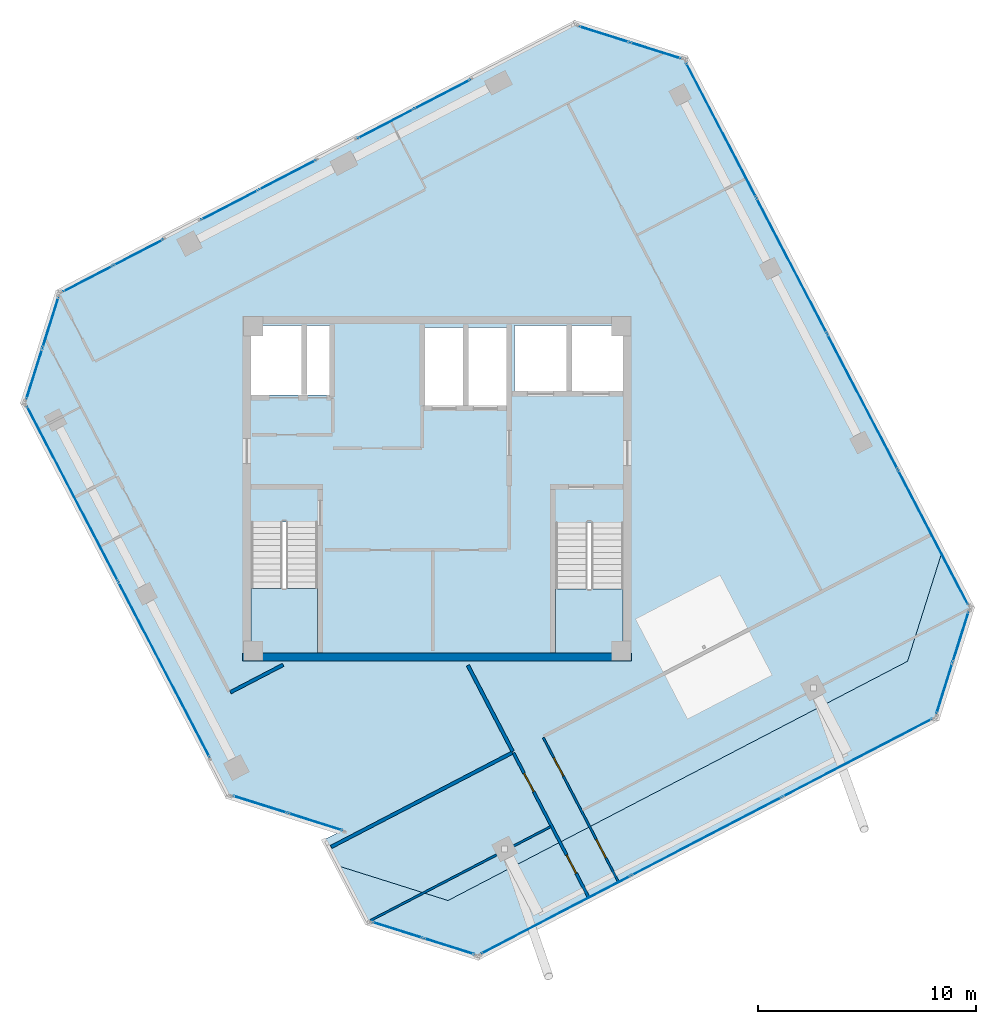
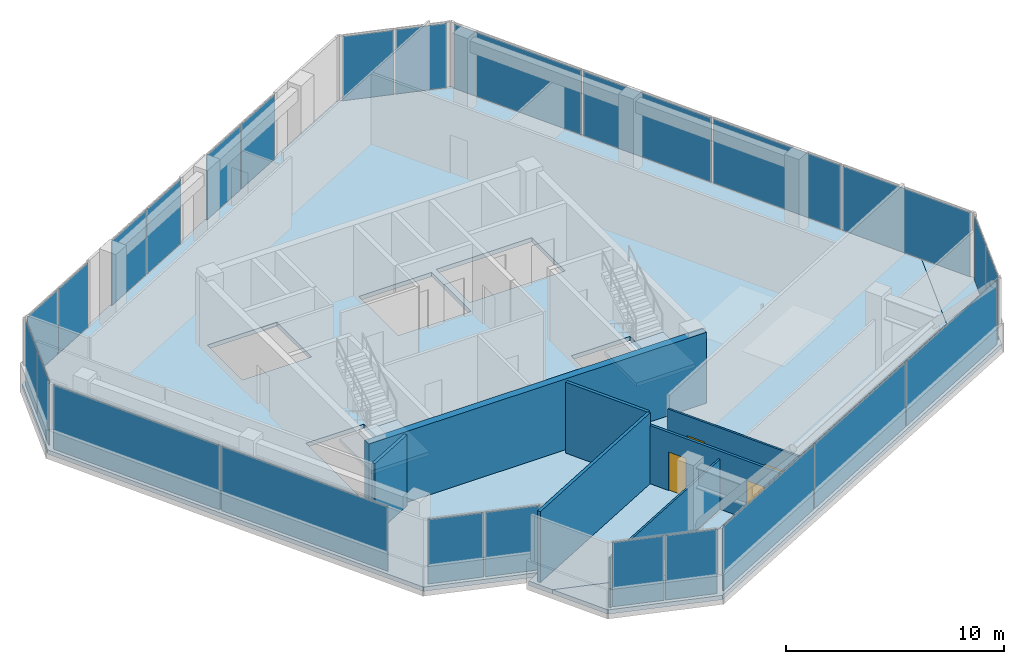
# One storey, part 11 of 17: 25 plates, 7 walls, 4 doors, 4 slabs, 4 openings, 13 elements without a shape of their own.
"""IFC4 building model written with IfcOpenShell, lengths in metres."""

from ifc_helpers import new_model, si_unit, direction, frame, frame_2d, origin, origin_2d, place, context, subcontext, project, spatial, polyline, rectangle, outline, extrude, source, transform, mapped, material, layer, layer_set, type_object, element, fill, aggregate, save


model = new_model("IFC4")

# Units and contexts
model_context = context("Model", 3, precision=1e-05, world=origin(), true_north=direction((0.0, 1.0)))
body_context = subcontext(model_context, "Body", "Model", "MODEL_VIEW")
ifc_project = project(units=[si_unit("LENGTHUNIT", "METRE"), si_unit("AREAUNIT", "SQUARE_METRE"), si_unit("VOLUMEUNIT", "CUBIC_METRE"), si_unit("PLANEANGLEUNIT", "RADIAN"), si_unit("MASSUNIT", "GRAM", prefix="KILO")], contexts=[model_context])

# Site, building, storey
site_placement = place(None, origin())
site = spatial("IfcSite", under=ifc_project, at=site_placement, CompositionType="ELEMENT")
building_placement = place(site_placement, origin())
building = spatial("IfcBuilding", under=site, at=building_placement, Name="Torre Montelarca", CompositionType="ELEMENT")
storey_placement = place(building_placement, frame((0.0, 0.0, 332.39990234375)))
storey = spatial("IfcBuildingStorey", under=building, at=storey_placement, Name="L75", CompositionType="ELEMENT", Elevation=332.39990234375)

# Slabs
ifc_material_1 = material(Name="Concrete C40/50", Category="concrete")
ifc_layer_1 = layer(ifc_material_1, 0.239990234375, Name="Concrete C40/50", Category="concrete")
ifc_layer_set_1 = layer_set([ifc_layer_1], Name="Concrete C40/50")
slab_type_1 = type_object("IfcSlabType", Name="SL-FLR-240", PredefinedType="FLOOR", material=ifc_layer_set_1)
slab_1_placement = place(storey_placement, frame((0.0, 0.0, -0.239990234375)))
element("IfcSlab", 1, at=slab_1_placement, inside=storey, type_object=slab_type_1, Name="L75 Structural Floor Slab", PredefinedType="FLOOR", context=body_context, shape_type="SweptSolid", body=[
    extrude(outline(polyline([(8.35791015625, 17.83056640625), (13.483154296875, 16.214599609375), (12.7734375, 15.84521484375), (13.373779296875, 14.692138671875), (18.4990234375, 13.076171875), (39.60986328125, 24.065673828125), (41.225830078125, 29.19091796875), (29.451416015625, 51.809814453125), (24.325927734375, 53.42578125), (0.55419921875, 41.05078125), (-1.06201171875, 35.925537109375), (8.35791015625, 17.83056640625)]), holes=[polyline([(26.550048828125, 24.449951171875), (23.43994140625, 24.449951171875), (23.43994140625, 30.429931640625), (26.550048828125, 30.429931640625), (26.550048828125, 24.449951171875)]), polyline([(12.5, 24.449951171875), (9.449951171875, 24.449951171875), (9.449951171875, 30.4599609375), (12.5, 30.4599609375), (12.5, 24.449951171875)]), polyline([(21.25, 39.39990234375), (21.25, 35.800048828125), (17.39990234375, 35.800048828125), (17.39990234375, 39.39990234375), (21.25, 39.39990234375)]), polyline([(13.1201171875, 36.300048828125), (9.449951171875, 36.300048828125), (9.449951171875, 39.5), (13.1201171875, 39.5), (13.1201171875, 36.300048828125)]), polyline([(26.60009765625, 36.449951171875), (21.550048828125, 36.449951171875), (21.550048828125, 39.5), (26.60009765625, 39.5), (26.60009765625, 36.449951171875)])]), origin(), (0.0, 0.0, 1.0), 0.239990234375),
])
slab_2_placement = place(storey_placement, frame((0.0, 0.0, -0.239990234375)))
element("IfcSlab", 2, at=slab_2_placement, inside=storey, type_object=slab_type_1, Name="L75 Sliding Tray Winter Garden Floor Slab E1", PredefinedType="FLOOR", context=body_context, shape_type="SweptSolid", body=[
    extrude(outline(polyline([(41.225830078125, 29.19091796875), (39.60986328125, 24.065673828125), (18.4990234375, 13.076171875), (13.373779296875, 14.692138671875), (14.759033203125, 12.031005859375), (19.88427734375, 10.4150390625), (40.9951171875, 21.40478515625), (42.611083984375, 26.530029296875), (41.225830078125, 29.19091796875)])), origin(), (0.0, 0.0, 1.0), 0.239990234375),
])

# Stair, slab
stair_type_1 = type_object("IfcStairType", Name="ST-CORE-ST1", PredefinedType="HALF_TURN_STAIR", material=ifc_material_1)
stair_1_placement = place(storey_placement, origin())
stair_1 = element("IfcStair", 3, at=stair_1_placement, inside=storey, type_object=stair_type_1, Name="L75 Protected Exit Stair ST1", PredefinedType="HALF_TURN_STAIR")
ifc_layer_2 = layer(ifc_material_1, 0.199951171875, Name="Concrete C40/50", Category="concrete")
ifc_layer_set_2 = layer_set([ifc_layer_2], Name="Concrete C40/50")
slab_type_2 = type_object("IfcSlabType", Name="SL-ST-LAND-ST1", PredefinedType="LANDING", material=ifc_layer_set_2)
slab_3_placement = place(storey_placement, frame((0.0, 0.0, 1.900146484375)))
slab_3 = element("IfcSlab", 4, at=slab_3_placement, type_object=slab_type_2, Name="ST1 landing 1", PredefinedType="LANDING", context=body_context, shape_type="SweptSolid", body=[
    extrude(outline(polyline([(9.449951171875, 27.419921875), (9.449951171875, 24.449951171875), (12.5, 24.449951171875), (12.5, 27.419921875), (9.449951171875, 27.419921875)])), origin(), (0.0, 0.0, 1.0), 0.199951171875),
])
aggregate(stair_1, [slab_3])

stair_type_2 = type_object("IfcStairType", Name="ST-CORE-ST2", PredefinedType="HALF_TURN_STAIR", material=ifc_material_1)
stair_2_placement = place(storey_placement, origin())
stair_2 = element("IfcStair", 5, at=stair_2_placement, inside=storey, type_object=stair_type_2, Name="L75 Protected Exit Stair ST2", PredefinedType="HALF_TURN_STAIR")
ifc_layer_3 = layer(ifc_material_1, 0.199951171875, Name="Concrete C40/50", Category="concrete")
ifc_layer_set_3 = layer_set([ifc_layer_3], Name="Concrete C40/50")
slab_type_3 = type_object("IfcSlabType", Name="SL-ST-LAND-ST2", PredefinedType="LANDING", material=ifc_layer_set_3)
slab_4_placement = place(storey_placement, frame((0.0, 0.0, 1.900146484375)))
slab_4 = element("IfcSlab", 6, at=slab_4_placement, type_object=slab_type_3, Name="ST2 landing 1", PredefinedType="LANDING", context=body_context, shape_type="SweptSolid", body=[
    extrude(outline(polyline([(23.43994140625, 27.389892578125), (23.43994140625, 24.449951171875), (26.550048828125, 24.449951171875), (26.550048828125, 27.389892578125), (23.43994140625, 27.389892578125)])), origin(), (0.0, 0.0, 1.0), 0.199951171875),
])
aggregate(stair_2, [slab_4])

# Curtain wall, plates
ifc_material_2 = material(Name="Insulated low-E laminated glass", Category="glass")
curtain_wall_type = type_object("IfcCurtainWallType", Name="CW-SYS-Z4", PredefinedType="USERDEFINED", material=ifc_material_2)
curtain_wall_1_placement = place(storey_placement, origin())
curtain_wall_1 = element("IfcCurtainWall", 7, at=curtain_wall_1_placement, inside=storey, type_object=curtain_wall_type, Name="L75 Curtain Wall Run CW-T3-L75-E02-B1", ObjectType="UNITISED GLAZING", PredefinedType="USERDEFINED")
ifc_layer_4 = layer(ifc_material_2, 0.035888671875, Name="Insulated low-E laminated glass", Category="glass")
ifc_layer_set_4 = layer_set([ifc_layer_4], Name="Insulated low-E laminated glass")
plate_type = type_object("IfcPlateType", Name="CWP-GLZ-36", PredefinedType="CURTAIN_PANEL", material=ifc_layer_set_4)
shared_shape_1 = source(origin(), body_context, "Body", "SweptSolid", [
    extrude(rectangle(XDim=2.592529296875, YDim=0.035888671875, at=origin_2d()), origin(), (0.0, 0.0, 1.0), 3.590087890625),
])
plate_1_placement = place(storey_placement, frame((9.86279296875, 17.492431640625, 0.06494140625), z_axis=(0.0, 0.0, 1.0), x_axis=(0.953719450714, -0.300697870509, 0.0)))
plate_1 = element("IfcPlate", 8, at=plate_1_placement, type_object=plate_type, Name="CW panel 1.1", PredefinedType="CURTAIN_PANEL", context=body_context, shape_type="MappedRepresentation", body=[
    mapped(shared_shape_1, transform((0.0, 0.0, 0.0), scale=1.0)),
])
plate_2_placement = place(storey_placement, frame((12.406982421875, 16.690185546875, 0.06494140625), z_axis=(0.0, 0.0, 1.0), x_axis=(0.953719450714, -0.300697870509, 0.0)))
plate_2 = element("IfcPlate", 9, at=plate_2_placement, type_object=plate_type, Name="CW panel 2.1", PredefinedType="CURTAIN_PANEL", context=body_context, shape_type="MappedRepresentation", body=[
    mapped(shared_shape_1, transform((0.0, 0.0, 0.0), scale=1.0)),
])
aggregate(curtain_wall_1, [plate_1, plate_2])

curtain_wall_2_placement = place(storey_placement, origin())
curtain_wall_2 = element("IfcCurtainWall", 10, at=curtain_wall_2_placement, inside=storey, type_object=curtain_wall_type, Name="L75 Curtain Wall Run CW-T3-L75-E05-B1", ObjectType="UNITISED GLAZING", PredefinedType="USERDEFINED")
shared_shape_2 = source(origin(), body_context, "Body", "SweptSolid", [
    extrude(rectangle(XDim=2.40869140625, YDim=0.035888671875, at=origin_2d()), origin(), (0.0, 0.0, 1.0), 3.590087890625),
])
plate_3_placement = place(storey_placement, frame((16.17626953125, 11.720458984375, 0.06494140625), z_axis=(0.0, 0.0, 1.0), x_axis=(0.953721038655, -0.300692834013, 0.0)))
plate_3 = element("IfcPlate", 11, at=plate_3_placement, type_object=plate_type, Name="CW panel 1.1", PredefinedType="CURTAIN_PANEL", context=body_context, shape_type="MappedRepresentation", body=[
    mapped(shared_shape_2, transform((0.0, 0.0, 0.0), scale=1.0)),
])
plate_4_placement = place(storey_placement, frame((18.545166015625, 10.9736328125, 0.06494140625), z_axis=(0.0, 0.0, 1.0), x_axis=(0.953721038655, -0.300692834013, 0.0)))
plate_4 = element("IfcPlate", 12, at=plate_4_placement, type_object=plate_type, Name="CW panel 2.1", PredefinedType="CURTAIN_PANEL", context=body_context, shape_type="MappedRepresentation", body=[
    mapped(shared_shape_2, transform((0.0, 0.0, 0.0), scale=1.0)),
])
aggregate(curtain_wall_2, [plate_3, plate_4])

curtain_wall_3_placement = place(storey_placement, origin())
curtain_wall_3 = element("IfcCurtainWall", 13, at=curtain_wall_3_placement, inside=storey, type_object=curtain_wall_type, Name="L75 Curtain Wall Run CW-T3-L75-E07-B1", ObjectType="UNITISED GLAZING", PredefinedType="USERDEFINED")
plate_5_placement = place(storey_placement, frame((41.3056640625, 22.822021484375, 0.06494140625), z_axis=(0.0, 0.0, 1.0), x_axis=(0.300692834013, 0.953721038655, 0.0)))
plate_5 = element("IfcPlate", 14, at=plate_5_placement, type_object=plate_type, Name="CW panel 1.1", PredefinedType="CURTAIN_PANEL", context=body_context, shape_type="MappedRepresentation", body=[
    mapped(shared_shape_2, transform((0.0, 0.0, 0.0), scale=1.0)),
])
plate_6_placement = place(storey_placement, frame((42.052490234375, 25.190673828125, 0.06494140625), z_axis=(0.0, 0.0, 1.0), x_axis=(0.300692834013, 0.953721038655, 0.0)))
plate_6 = element("IfcPlate", 15, at=plate_6_placement, type_object=plate_type, Name="CW panel 2.1", PredefinedType="CURTAIN_PANEL", context=body_context, shape_type="MappedRepresentation", body=[
    mapped(shared_shape_2, transform((0.0, 0.0, 0.0), scale=1.0)),
])
aggregate(curtain_wall_3, [plate_5, plate_6])

curtain_wall_4_placement = place(storey_placement, origin())
curtain_wall_4 = element("IfcCurtainWall", 16, at=curtain_wall_4_placement, inside=storey, type_object=curtain_wall_type, Name="L75 Curtain Wall Run CW-T3-L75-E09-B1", ObjectType="UNITISED GLAZING", PredefinedType="USERDEFINED")
plate_7_placement = place(storey_placement, frame((28.033935546875, 52.120361328125, 0.06494140625), z_axis=(0.0, 0.0, 1.0), x_axis=(-0.953721038655, 0.300692834013, 0.0)))
plate_7 = element("IfcPlate", 17, at=plate_7_placement, type_object=plate_type, Name="CW panel 1.1", PredefinedType="CURTAIN_PANEL", context=body_context, shape_type="MappedRepresentation", body=[
    mapped(shared_shape_2, transform((0.0, 0.0, 0.0), scale=1.0)),
])
plate_8_placement = place(storey_placement, frame((25.665283203125, 52.8671875, 0.06494140625), z_axis=(0.0, 0.0, 1.0), x_axis=(-0.953721038655, 0.300692834013, 0.0)))
plate_8 = element("IfcPlate", 18, at=plate_8_placement, type_object=plate_type, Name="CW panel 2.1", PredefinedType="CURTAIN_PANEL", context=body_context, shape_type="MappedRepresentation", body=[
    mapped(shared_shape_2, transform((0.0, 0.0, 0.0), scale=1.0)),
])
aggregate(curtain_wall_4, [plate_7, plate_8])

curtain_wall_5_placement = place(storey_placement, origin())
curtain_wall_5 = element("IfcCurtainWall", 19, at=curtain_wall_5_placement, inside=storey, type_object=curtain_wall_type, Name="L75 Curtain Wall Run CW-T3-L75-E11-B1", ObjectType="UNITISED GLAZING", PredefinedType="USERDEFINED")
plate_9_placement = place(storey_placement, frame((0.243408203125, 39.633544921875, 0.06494140625), z_axis=(0.0, 0.0, 1.0), x_axis=(-0.300692834013, -0.953721038655, 0.0)))
plate_9 = element("IfcPlate", 20, at=plate_9_placement, type_object=plate_type, Name="CW panel 1.1", PredefinedType="CURTAIN_PANEL", context=body_context, shape_type="MappedRepresentation", body=[
    mapped(shared_shape_2, transform((0.0, 0.0, 0.0), scale=1.0)),
])
plate_10_placement = place(storey_placement, frame((-0.50341796875, 37.264892578125, 0.06494140625), z_axis=(0.0, 0.0, 1.0), x_axis=(-0.300692834013, -0.953721038655, 0.0)))
plate_10 = element("IfcPlate", 21, at=plate_10_placement, type_object=plate_type, Name="CW panel 2.1", PredefinedType="CURTAIN_PANEL", context=body_context, shape_type="MappedRepresentation", body=[
    mapped(shared_shape_2, transform((0.0, 0.0, 0.0), scale=1.0)),
])
aggregate(curtain_wall_5, [plate_9, plate_10])

curtain_wall_6_placement = place(storey_placement, origin())
curtain_wall_6 = element("IfcCurtainWall", 22, at=curtain_wall_6_placement, inside=storey, type_object=curtain_wall_type, Name="L75 Curtain Wall Run CW-T3-L75-E01-B1", ObjectType="UNITISED GLAZING", PredefinedType="USERDEFINED")
shared_shape_3 = source(origin(), body_context, "Body", "SweptSolid", [
    extrude(rectangle(XDim=9.03955078125, YDim=0.035888671875, at=origin_2d()), origin(), (0.0, 0.0, 1.0), 3.590087890625),
])
plate_11_placement = place(storey_placement, frame((1.251708984375, 31.762939453125, 0.06494140625), z_axis=(0.0, 0.0, 1.0), x_axis=(0.461747468442, -0.887011429119, 0.0)))
plate_11 = element("IfcPlate", 23, at=plate_11_placement, type_object=plate_type, Name="CW panel 1.1", PredefinedType="CURTAIN_PANEL", context=body_context, shape_type="MappedRepresentation", body=[
    mapped(shared_shape_3, transform((0.0, 0.0, 0.0), scale=1.0)),
])
plate_12_placement = place(storey_placement, frame((5.460205078125, 23.67822265625, 0.06494140625), z_axis=(0.0, 0.0, 1.0), x_axis=(0.461747468442, -0.887011429119, 0.0)))
plate_12 = element("IfcPlate", 24, at=plate_12_placement, type_object=plate_type, Name="CW panel 2.1", PredefinedType="CURTAIN_PANEL", context=body_context, shape_type="MappedRepresentation", body=[
    mapped(shared_shape_3, transform((0.0, 0.0, 0.0), scale=1.0)),
])
aggregate(curtain_wall_6, [plate_11, plate_12])

curtain_wall_7_placement = place(storey_placement, origin())
curtain_wall_7 = element("IfcCurtainWall", 25, at=curtain_wall_7_placement, inside=storey, type_object=curtain_wall_type, Name="L75 Curtain Wall Run CW-T3-L75-E10-B1", ObjectType="UNITISED GLAZING", PredefinedType="USERDEFINED")
shared_shape_4 = source(origin(), body_context, "Body", "SweptSolid", [
    extrude(rectangle(XDim=2.857421875, YDim=0.035888671875, at=origin_2d()), origin(), (0.0, 0.0, 1.0), 3.590087890625),
])
plate_13_placement = place(storey_placement, frame((18.235595703125, 50.10888671875, 0.06494140625), z_axis=(0.0, 0.0, 1.0), x_axis=(-0.88700832853, -0.461753424587, 0.0)))
plate_13 = element("IfcPlate", 26, at=plate_13_placement, type_object=plate_type, Name="CW panel 1.1", PredefinedType="CURTAIN_PANEL", context=body_context, shape_type="MappedRepresentation", body=[
    mapped(shared_shape_4, transform((0.0, 0.0, 0.0), scale=1.0)),
])
plate_14_placement = place(storey_placement, frame((15.634521484375, 48.754638671875, 0.06494140625), z_axis=(0.0, 0.0, 1.0), x_axis=(-0.88700832853, -0.461753424587, 0.0)))
plate_14 = element("IfcPlate", 27, at=plate_14_placement, type_object=plate_type, Name="CW panel 2.1", PredefinedType="CURTAIN_PANEL", context=body_context, shape_type="MappedRepresentation", body=[
    mapped(shared_shape_4, transform((0.0, 0.0, 0.0), scale=1.0)),
])
aggregate(curtain_wall_7, [plate_13, plate_14])

curtain_wall_8_placement = place(storey_placement, origin())
curtain_wall_8 = element("IfcCurtainWall", 28, at=curtain_wall_8_placement, inside=storey, type_object=curtain_wall_type, Name="L75 Curtain Wall Run CW-T3-L75-E10-B2", ObjectType="UNITISED GLAZING", PredefinedType="USERDEFINED")
shared_shape_5 = source(origin(), body_context, "Body", "SweptSolid", [
    extrude(rectangle(XDim=2.907470703125, YDim=0.035888671875, at=origin_2d()), origin(), (0.0, 0.0, 1.0), 3.590087890625),
])
plate_15_placement = place(storey_placement, frame((11.117431640625, 46.4033203125, 0.06494140625), z_axis=(0.0, 0.0, 1.0), x_axis=(-0.887006627059, -0.461756693025, 0.0)))
plate_15 = element("IfcPlate", 29, at=plate_15_placement, type_object=plate_type, Name="CW panel 1.1", PredefinedType="CURTAIN_PANEL", context=body_context, shape_type="MappedRepresentation", body=[
    mapped(shared_shape_5, transform((0.0, 0.0, 0.0), scale=1.0)),
])
plate_16_placement = place(storey_placement, frame((8.471923828125, 45.026123046875, 0.06494140625), z_axis=(0.0, 0.0, 1.0), x_axis=(-0.887006627059, -0.461756693025, 0.0)))
plate_16 = element("IfcPlate", 30, at=plate_16_placement, type_object=plate_type, Name="CW panel 2.1", PredefinedType="CURTAIN_PANEL", context=body_context, shape_type="MappedRepresentation", body=[
    mapped(shared_shape_5, transform((0.0, 0.0, 0.0), scale=1.0)),
])
aggregate(curtain_wall_8, [plate_15, plate_16])

curtain_wall_9_placement = place(storey_placement, origin())
curtain_wall_9 = element("IfcCurtainWall", 31, at=curtain_wall_9_placement, inside=storey, type_object=curtain_wall_type, Name="L75 Curtain Wall Run CW-T3-L75-E10-B3", ObjectType="UNITISED GLAZING", PredefinedType="USERDEFINED")
shared_shape_6 = source(origin(), body_context, "Body", "SweptSolid", [
    extrude(rectangle(XDim=2.53955078125, YDim=0.035888671875, at=origin_2d()), origin(), (0.0, 0.0, 1.0), 3.590087890625),
])
plate_17_placement = place(storey_placement, frame((4.273193359375, 42.84033203125, 0.06494140625), z_axis=(0.0, 0.0, 1.0), x_axis=(-0.887015764297, -0.46173914052, 0.0)))
plate_17 = element("IfcPlate", 32, at=plate_17_placement, type_object=plate_type, Name="CW panel 1.1", PredefinedType="CURTAIN_PANEL", context=body_context, shape_type="MappedRepresentation", body=[
    mapped(shared_shape_6, transform((0.0, 0.0, 0.0), scale=1.0)),
])
plate_18_placement = place(storey_placement, frame((1.9541015625, 41.633056640625, 0.06494140625), z_axis=(0.0, 0.0, 1.0), x_axis=(-0.887015764297, -0.46173914052, 0.0)))
plate_18 = element("IfcPlate", 33, at=plate_18_placement, type_object=plate_type, Name="CW panel 2.1", PredefinedType="CURTAIN_PANEL", context=body_context, shape_type="MappedRepresentation", body=[
    mapped(shared_shape_6, transform((0.0, 0.0, 0.0), scale=1.0)),
])
aggregate(curtain_wall_9, [plate_17, plate_18])

curtain_wall_10_placement = place(storey_placement, origin())
curtain_wall_10 = element("IfcCurtainWall", 34, at=curtain_wall_10_placement, inside=storey, type_object=curtain_wall_type, Name="L75 Curtain Wall Run CW-T3-L75-E06-B1", ObjectType="UNITISED GLAZING", PredefinedType="USERDEFINED")
shared_shape_7 = source(origin(), body_context, "Body", "SweptSolid", [
    extrude(rectangle(XDim=7.710205078125, YDim=0.035888671875, at=origin_2d()), origin(), (0.0, 0.0, 1.0), 3.590087890625),
])
plate_19_placement = place(storey_placement, frame((23.457275390625, 12.421630859375, 0.06494140625), z_axis=(0.0, 0.0, 1.0), x_axis=(0.887012371087, 0.461745658928, 0.0)))
plate_19 = element("IfcPlate", 35, at=plate_19_placement, type_object=plate_type, Name="CW panel 1.1", PredefinedType="CURTAIN_PANEL", context=body_context, shape_type="MappedRepresentation", body=[
    mapped(shared_shape_7, transform((0.0, 0.0, 0.0), scale=1.0)),
])
plate_20_placement = place(storey_placement, frame((37.302001953125, 19.628662109375, 0.06494140625), z_axis=(0.0, 0.0, 1.0), x_axis=(0.887012371087, 0.461745658928, 0.0)))
plate_20 = element("IfcPlate", 36, at=plate_20_placement, type_object=plate_type, Name="CW panel 3.1", PredefinedType="CURTAIN_PANEL", context=body_context, shape_type="MappedRepresentation", body=[
    mapped(shared_shape_7, transform((0.0, 0.0, 0.0), scale=1.0)),
])
shared_shape_8 = source(origin(), body_context, "Body", "SweptSolid", [
    extrude(rectangle(XDim=7.747802734375, YDim=0.035888671875, at=origin_2d()), origin(), (0.0, 0.0, 1.0), 3.590087890625),
])
plate_21_placement = place(storey_placement, frame((30.379638671875, 16.025146484375, 0.06494140625), z_axis=(0.0, 0.0, 1.0), x_axis=(0.887012371087, 0.461745658928, 0.0)))
plate_21 = element("IfcPlate", 37, at=plate_21_placement, type_object=plate_type, Name="CW panel 2.1", PredefinedType="CURTAIN_PANEL", context=body_context, shape_type="MappedRepresentation", body=[
    mapped(shared_shape_8, transform((0.0, 0.0, 0.0), scale=1.0)),
])
aggregate(curtain_wall_10, [plate_19, plate_21, plate_20])

curtain_wall_11_placement = place(storey_placement, origin())
curtain_wall_11 = element("IfcCurtainWall", 38, at=curtain_wall_11_placement, inside=storey, type_object=curtain_wall_type, Name="L75 Curtain Wall Run CW-T3-L75-E08-B1", ObjectType="UNITISED GLAZING", PredefinedType="USERDEFINED")
shared_shape_9 = source(origin(), body_context, "Body", "SweptSolid", [
    extrude(rectangle(XDim=6.9296875, YDim=0.035888671875, at=origin_2d()), origin(), (0.0, 0.0, 1.0), 3.590087890625),
])
plate_22_placement = place(storey_placement, frame((40.78466796875, 29.7568359375, 0.06494140625), z_axis=(0.0, 0.0, 1.0), x_axis=(-0.461744921926, 0.887012754742, 0.0)))
plate_22 = element("IfcPlate", 39, at=plate_22_placement, type_object=plate_type, Name="CW panel 1.1", PredefinedType="CURTAIN_PANEL", context=body_context, shape_type="MappedRepresentation", body=[
    mapped(shared_shape_9, transform((0.0, 0.0, 0.0), scale=1.0)),
])
plate_23_placement = place(storey_placement, frame((31.047119140625, 48.462890625, 0.06494140625), z_axis=(0.0, 0.0, 1.0), x_axis=(-0.461744921926, 0.887012754742, 0.0)))
plate_23 = element("IfcPlate", 40, at=plate_23_placement, type_object=plate_type, Name="CW panel 4.1", PredefinedType="CURTAIN_PANEL", context=body_context, shape_type="MappedRepresentation", body=[
    mapped(shared_shape_9, transform((0.0, 0.0, 0.0), scale=1.0)),
])
shared_shape_10 = source(origin(), body_context, "Body", "SweptSolid", [
    extrude(rectangle(XDim=6.967041015625, YDim=0.035888671875, at=origin_2d()), origin(), (0.0, 0.0, 1.0), 3.590087890625),
])
plate_24_placement = place(storey_placement, frame((37.541748046875, 35.986572265625, 0.06494140625), z_axis=(0.0, 0.0, 1.0), x_axis=(-0.461744921926, 0.887012754742, 0.0)))
plate_24 = element("IfcPlate", 41, at=plate_24_placement, type_object=plate_type, Name="CW panel 2.1", PredefinedType="CURTAIN_PANEL", context=body_context, shape_type="MappedRepresentation", body=[
    mapped(shared_shape_10, transform((0.0, 0.0, 0.0), scale=1.0)),
])
plate_25_placement = place(storey_placement, frame((34.2900390625, 42.233154296875, 0.06494140625), z_axis=(0.0, 0.0, 1.0), x_axis=(-0.461744921926, 0.887012754742, 0.0)))
plate_25 = element("IfcPlate", 42, at=plate_25_placement, type_object=plate_type, Name="CW panel 3.1", PredefinedType="CURTAIN_PANEL", context=body_context, shape_type="MappedRepresentation", body=[
    mapped(shared_shape_10, transform((0.0, 0.0, 0.0), scale=1.0)),
])
aggregate(curtain_wall_11, [plate_22, plate_24, plate_25, plate_23])

# Walls
ifc_layer_5 = layer(ifc_material_1, 0.3798828125, Name="Concrete C40/50", Category="concrete")
ifc_layer_set_5 = layer_set([ifc_layer_5], Name="Concrete C40/50")
wall_type_1 = type_object("IfcWallType", Name="CW-SHEAR-380", PredefinedType="SHEAR", material=ifc_layer_set_5)
wall_1_placement = place(storey_placement, frame((9.070068359375, 24.260009765625, 0.0), z_axis=(0.0, 0.0, 1.0), x_axis=(1.0, 0.0, 0.0)))
element("IfcWall", 43, at=wall_1_placement, inside=storey, type_object=wall_type_1, Name="L75 Core Shear Wall CW-S1", PredefinedType="SHEAR", context=body_context, shape_type="SweptSolid", body=[
    extrude(rectangle(XDim=17.85986328125, YDim=0.3798828125, at=frame_2d((8.929931640625, 0.0))), origin(), (0.0, 0.0, 1.0), 3.960205078125),
])
ifc_material_3 = material(Name="Gypsum plasterboard on steel stud", Category="steel")
ifc_layer_6 = layer(ifc_material_3, 0.159912109375, Name="Gypsum plasterboard on steel stud", Category="steel")
ifc_layer_set_6 = layer_set([ifc_layer_6], Name="Gypsum plasterboard on steel stud")
wall_type_2 = type_object("IfcWallType", Name="PW-FIRE-160", PredefinedType="PARTITIONING", material=ifc_layer_set_6)
wall_2_placement = place(storey_placement, frame((8.5029296875, 22.64111328125, 0.0), z_axis=(0.0, 0.0, 1.0), x_axis=(0.886991176538, 0.461786371328, 0.0)))
element("IfcWall", 44, at=wall_2_placement, inside=storey, type_object=wall_type_2, Name="L75 Interior Partition W-L75-SOCCW3", PredefinedType="PARTITIONING", context=body_context, shape_type="SweptSolid", body=[
    extrude(rectangle(XDim=2.7294921875, YDim=0.159912109375, at=frame_2d((1.36474609375, 0.0))), origin(), (0.0, 0.0, 1.0), 3.960205078125),
])
wall_3_placement = place(storey_placement, frame((19.411376953125, 23.884521484375, 0.0), z_axis=(0.0, 0.0, 1.0), x_axis=(0.461717603384, -0.887026975196, 0.0)))
element("IfcWall", 45, at=wall_3_placement, inside=storey, type_object=wall_type_2, Name="L75 Interior Partition W-L75-SOCCN3", PredefinedType="PARTITIONING", context=body_context, shape_type="SweptSolid", body=[
    extrude(rectangle(XDim=4.466064453125, YDim=0.159912109375, at=frame_2d((2.23291015625, 0.0))), origin(), (0.0, 0.0, 1.0), 3.960205078125),
])
wall_4_placement = place(storey_placement, frame((13.13623046875, 15.5380859375, 0.0), z_axis=(0.0, 0.0, 1.0), x_axis=(0.887015145491, 0.461740329265, 0.0)))
element("IfcWall", 46, at=wall_4_placement, inside=storey, type_object=wall_type_2, Name="L75 Interior Partition W-L75-ECS", PredefinedType="PARTITIONING", context=body_context, shape_type="SweptSolid", body=[
    extrude(rectangle(XDim=9.3798828125, YDim=0.159912109375, at=frame_2d((4.68994140625, 0.0))), origin(), (0.0, 0.0, 1.0), 3.960205078125),
])

# Wall, openings, doors
ifc_material_4 = material(Name="Acoustic laminated glass partition", Category="glass")
ifc_layer_7 = layer(ifc_material_4, 0.10009765625, Name="Acoustic laminated glass partition", Category="glass")
ifc_layer_set_7 = layer_set([ifc_layer_7], Name="Acoustic laminated glass partition")
wall_type_3 = type_object("IfcWallType", Name="PW-GLAZ-100", PredefinedType="PARTITIONING", material=ifc_layer_set_7)
wall_5_placement = place(storey_placement, frame((22.87646484375, 20.563232421875, 0.0), z_axis=(0.0, 0.0, 1.0), x_axis=(0.461750488306, -0.887009857076, 0.0)))
wall_5 = element("IfcWall", 47, at=wall_5_placement, inside=storey, type_object=wall_type_3, Name="L75 Interior Partition W-L75-NE-S", PredefinedType="PARTITIONING", context=body_context, shape_type="SweptSolid", body=[
    extrude(rectangle(XDim=7.439697265625, YDim=0.10009765625, at=frame_2d((3.7197265625, 0.0))), origin(), (0.0, 0.0, 1.0), 3.252685546875),
])
opening_1_placement = place(wall_5_placement, frame((1.050048828125, 0.0, 0.0)))
opening_1 = element("IfcOpeningElement", 48, at=opening_1_placement, cuts=wall_5, Name="Opening ID-095", PredefinedType="OPENING", context=body_context, shape_type="SweptSolid", body=[
    extrude(rectangle(XDim=0.949951171875, YDim=2.14990234375, at=frame_2d((0.47509765625, 1.074951171875))), frame((0.0, 0.06005859375, 0.0), z_axis=(0.0, -1.0, 0.0), x_axis=(1.0, 0.0, 0.0)), (0.0, 0.0, 1.0), 0.1201171875),
])
opening_2_placement = place(wall_5_placement, frame((5.280029296875, 0.0, 0.0)))
opening_2 = element("IfcOpeningElement", 49, at=opening_2_placement, cuts=wall_5, Name="Opening ID-095", PredefinedType="OPENING", context=body_context, shape_type="SweptSolid", body=[
    extrude(rectangle(XDim=0.949951171875, YDim=2.14990234375, at=frame_2d((0.47509765625, 1.074951171875))), frame((0.0, 0.06005859375, 0.0), z_axis=(0.0, -1.0, 0.0), x_axis=(1.0, 0.0, 0.0)), (0.0, 0.0, 1.0), 0.1201171875),
])
ifc_material_5 = material(Name="Hardwood acoustic timber veneer", Category="wood")
door_type = type_object("IfcDoorType", Name="DR-INT-095", OperationType="NOTDEFINED", PredefinedType="DOOR", material=ifc_material_5)
shared_shape_11 = source(origin(), body_context, "Body", "SweptSolid", [
    extrude(rectangle(XDim=0.949951171875, YDim=2.14990234375, at=frame_2d((0.47509765625, 1.074951171875))), frame((0.0, 0.02490234375, 0.0), z_axis=(0.0, -1.0, 0.0), x_axis=(1.0, 0.0, 0.0)), (0.0, 0.0, 1.0), 0.050048828125),
])
door_1_placement = place(opening_1_placement, origin())
door_1 = element("IfcDoor", 50, at=door_1_placement, inside=storey, type_object=door_type, Name="L75 Interior Door 13", OperationType="SINGLE_SWING_LEFT", OverallHeight=2.14990234375, OverallWidth=0.949951171875, PredefinedType="DOOR", context=body_context, shape_type="MappedRepresentation", body=[
    mapped(shared_shape_11, transform((0.0, 0.0, 0.0), scale=1.0)),
])
fill(opening_1, door_1)
door_2_placement = place(opening_2_placement, origin())
door_2 = element("IfcDoor", 51, at=door_2_placement, inside=storey, type_object=door_type, Name="L75 Interior Door 14", OperationType="SINGLE_SWING_RIGHT", OverallHeight=2.14990234375, OverallWidth=0.949951171875, PredefinedType="DOOR", context=body_context, shape_type="MappedRepresentation", body=[
    mapped(shared_shape_11, transform((0.0, 0.0, 0.0), scale=1.0)),
])
fill(opening_2, door_2)

# Wall
wall_6_placement = place(storey_placement, frame((14.9296875, 12.15380859375, 0.0), z_axis=(0.0, 0.0, 1.0), x_axis=(0.887014112301, 0.461742314044, 0.0)))
element("IfcWall", 52, at=wall_6_placement, inside=storey, type_object=wall_type_3, Name="L75 Interior Partition W-L75-SEDIV-1", PredefinedType="PARTITIONING", context=body_context, shape_type="SweptSolid", body=[
    extrude(rectangle(XDim=9.351806640625, YDim=0.10009765625, at=frame_2d((4.67578125, 0.0))), origin(), (0.0, 0.0, 1.0), 2.795166015625),
])

# Wall, openings, doors
ifc_layer_8 = layer(ifc_material_3, 0.135009765625, Name="Gypsum plasterboard on steel stud", Category="steel")
ifc_layer_set_8 = layer_set([ifc_layer_8], Name="Gypsum plasterboard on steel stud")
wall_type_4 = type_object("IfcWallType", Name="PW-PART-135", PredefinedType="PARTITIONING", material=ifc_layer_set_8)
wall_7_placement = place(storey_placement, frame((21.510498046875, 19.852294921875, 0.0), z_axis=(0.0, 0.0, 1.0), x_axis=(0.461737048058, -0.887016853532, 0.0)))
wall_7 = element("IfcWall", 53, at=wall_7_placement, inside=storey, type_object=wall_type_4, Name="L75 Interior Partition W-L75-SE-N", PredefinedType="PARTITIONING", context=body_context, shape_type="SweptSolid", body=[
    extrude(rectangle(XDim=7.43994140625, YDim=0.135009765625, at=frame_2d((3.719970703125, 0.0))), origin(), (0.0, 0.0, 1.0), 3.252685546875),
])
opening_3_placement = place(wall_7_placement, frame((1.050048828125, 0.0, 0.0)))
opening_3 = element("IfcOpeningElement", 54, at=opening_3_placement, cuts=wall_7, Name="Opening ID-095", PredefinedType="OPENING", context=body_context, shape_type="SweptSolid", body=[
    extrude(rectangle(XDim=0.949951171875, YDim=2.14990234375, at=frame_2d((0.47509765625, 1.074951171875))), frame((0.0, 0.07763671875, 0.0), z_axis=(0.0, -1.0, 0.0), x_axis=(1.0, 0.0, 0.0)), (0.0, 0.0, 1.0), 0.155029296875),
])
opening_4_placement = place(wall_7_placement, frame((5.280029296875, 0.0, 0.0)))
opening_4 = element("IfcOpeningElement", 55, at=opening_4_placement, cuts=wall_7, Name="Opening ID-095", PredefinedType="OPENING", context=body_context, shape_type="SweptSolid", body=[
    extrude(rectangle(XDim=0.949951171875, YDim=2.14990234375, at=frame_2d((0.47509765625, 1.074951171875))), frame((0.0, 0.07763671875, 0.0), z_axis=(0.0, -1.0, 0.0), x_axis=(1.0, 0.0, 0.0)), (0.0, 0.0, 1.0), 0.155029296875),
])
door_3_placement = place(opening_3_placement, origin())
door_3 = element("IfcDoor", 56, at=door_3_placement, inside=storey, type_object=door_type, Name="L75 Interior Door 15", OperationType="SINGLE_SWING_LEFT", OverallHeight=2.14990234375, OverallWidth=0.949951171875, PredefinedType="DOOR", context=body_context, shape_type="MappedRepresentation", body=[
    mapped(shared_shape_11, transform((0.0, 0.0, 0.0), scale=1.0)),
])
fill(opening_3, door_3)
door_4_placement = place(opening_4_placement, origin())
door_4 = element("IfcDoor", 57, at=door_4_placement, inside=storey, type_object=door_type, Name="L75 Interior Door 16", OperationType="SINGLE_SWING_RIGHT", OverallHeight=2.14990234375, OverallWidth=0.949951171875, PredefinedType="DOOR", context=body_context, shape_type="MappedRepresentation", body=[
    mapped(shared_shape_11, transform((0.0, 0.0, 0.0), scale=1.0)),
])
fill(opening_4, door_4)

save(model, "model.ifc")
